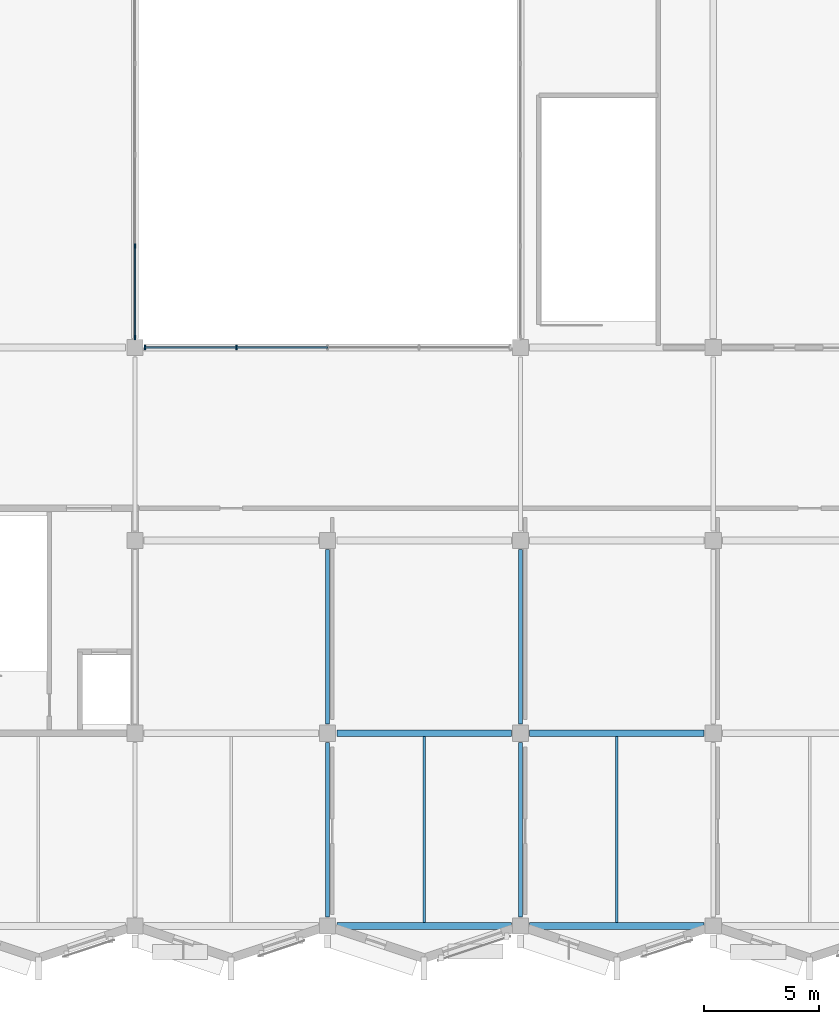
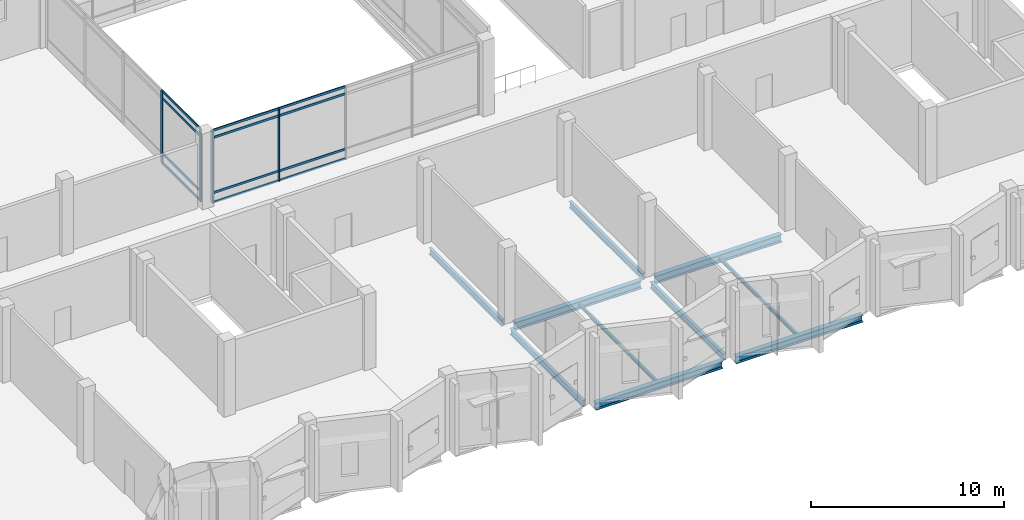
# One storey, part 18 of 110: 16 members, 10 beams, 2 elements without a shape of their own.
"""IFC4 building model written with IfcOpenShell, lengths in metres."""

from ifc_helpers import new_model, si_unit, direction, frame, origin, origin_2d, place, context, subcontext, project, spatial, rectangle, i_section, extrude, material, layer, layer_set, material_profile, profile_set, type_object, element, aggregate, save


model = new_model("IFC4")

# Units and contexts
model_context = context("Model", 3, precision=1e-05, world=origin(), true_north=direction((0.0, 1.0)))
body_context = subcontext(model_context, "Body", "Model", "MODEL_VIEW")
ifc_project = project(units=[si_unit("LENGTHUNIT", "METRE"), si_unit("AREAUNIT", "SQUARE_METRE"), si_unit("VOLUMEUNIT", "CUBIC_METRE"), si_unit("PLANEANGLEUNIT", "RADIAN"), si_unit("MASSUNIT", "GRAM", prefix="KILO")], contexts=[model_context])

# Site, building, storey
site_placement = place(None, origin())
site = spatial("IfcSite", under=ifc_project, at=site_placement, CompositionType="ELEMENT")
building_placement = place(site_placement, origin())
building = spatial("IfcBuilding", under=site, at=building_placement, Name="Qawsi Khor Wholesale Market", CompositionType="ELEMENT")
storey_placement = place(building_placement, frame((0.0, 0.0, 11.39990234375)))
storey = spatial("IfcBuildingStorey", under=building, at=storey_placement, Name="L02", CompositionType="ELEMENT", Elevation=11.39990234375)

# Curtain wall, members
ifc_material_1 = material(Name="Aluminium Anodised Bronze", Category="aluminium")
ifc_layer = layer(ifc_material_1, 0.179931640625, Name="Aluminium Anodised Bronze")
ifc_layer_set = layer_set([ifc_layer], Name="Aluminium Anodised Bronze")
curtain_wall_type = type_object("IfcCurtainWallType", Name="Atrium Full-Height Curtain Wall CW-02", PredefinedType="NOTDEFINED", material=ifc_layer_set)
curtain_wall_1_placement = place(storey_placement, origin())
curtain_wall_1 = element("IfcCurtainWall", 1, at=curtain_wall_1_placement, inside=storey, type_object=curtain_wall_type, Name="Curtain wall CW-CW-02-L02-041", PredefinedType="NOTDEFINED")
ifc_material_profile_1 = material_profile(ifc_material_1, rectangle(XDim=0.070068359375, YDim=0.199951171875, at=origin_2d()), Name="ALU MULLION 70x200")
ifc_profile_set_1 = profile_set([ifc_material_profile_1], Name="Aluminium Anodised Bronze")
member_type_1 = type_object("IfcMemberType", Name="Curtain Wall Mullion CW-02 ALU MULLION 70x200", PredefinedType="MULLION", material=ifc_profile_set_1)
member_1_placement = place(storey_placement, frame((151.64501953125, 25.199951171875, -0.02001953125), z_axis=(0.0, 0.0, 1.0), x_axis=(1.0, 0.0, 0.0)))
member_1 = element("IfcMember", 2, at=member_1_placement, type_object=member_type_1, Name="Mullion CW-CW-02-L02-041-M00", PredefinedType="MULLION", context=body_context, shape_type="SweptSolid", body=[
    extrude(rectangle(XDim=0.070068359375, YDim=0.199951171875, at=origin_2d()), origin(), (0.0, 0.0, 1.0), 4.570068359375),
])
member_2_placement = place(storey_placement, frame((155.62255859375, 25.199951171875, -0.02001953125), z_axis=(0.0, 0.0, 1.0), x_axis=(1.0, 0.0, 0.0)))
member_2 = element("IfcMember", 3, at=member_2_placement, type_object=member_type_1, Name="Mullion CW-CW-02-L02-041-M01", PredefinedType="MULLION", context=body_context, shape_type="SweptSolid", body=[
    extrude(rectangle(XDim=0.070068359375, YDim=0.199951171875, at=origin_2d()), origin(), (0.0, 0.0, 1.0), 4.570068359375),
])

curtain_wall_2_placement = place(storey_placement, origin())
curtain_wall_2 = element("IfcCurtainWall", 4, at=curtain_wall_2_placement, inside=storey, type_object=curtain_wall_type, Name="Curtain wall CW-CW-02-L02-044", PredefinedType="NOTDEFINED")
member_3_placement = place(storey_placement, frame((151.199951171875, 25.64501953125, -0.02001953125), z_axis=(0.0, 0.0, 1.0), x_axis=(1.0, 0.0, 0.0)))
member_3 = element("IfcMember", 5, at=member_3_placement, type_object=member_type_1, Name="Mullion CW-CW-02-L02-044-M00", PredefinedType="MULLION", context=body_context, shape_type="SweptSolid", body=[
    extrude(rectangle(XDim=0.070068359375, YDim=0.199951171875, at=origin_2d()), origin(), (0.0, 0.0, 1.0), 4.570068359375),
])
member_4_placement = place(storey_placement, frame((151.199951171875, 29.62255859375, -0.02001953125), z_axis=(0.0, 0.0, 1.0), x_axis=(1.0, 0.0, 0.0)))
member_4 = element("IfcMember", 6, at=member_4_placement, type_object=member_type_1, Name="Mullion CW-CW-02-L02-044-M01", PredefinedType="MULLION", context=body_context, shape_type="SweptSolid", body=[
    extrude(rectangle(XDim=0.070068359375, YDim=0.199951171875, at=origin_2d()), origin(), (0.0, 0.0, 1.0), 4.570068359375),
])

# Member
ifc_material_profile_2 = material_profile(ifc_material_1, rectangle(XDim=0.06494140625, YDim=0.139892578125, at=origin_2d()), Name="ALU TRANSOM 65x140")
ifc_profile_set_2 = profile_set([ifc_material_profile_2], Name="Aluminium Anodised Bronze")
member_type_2 = type_object("IfcMemberType", Name="Curtain Wall Transom CW-02 ALU TRANSOM 65x140", PredefinedType="USERDEFINED", material=ifc_profile_set_2)
member_5_placement = place(storey_placement, frame((151.64501953125, 25.199951171875, 0.0), z_axis=(1.0, 0.0, 0.0), x_axis=(0.0, 1.0, 0.0)))
member_5 = element("IfcMember", 7, at=member_5_placement, type_object=member_type_2, Name="Transom CW-CW-02-L02-041-T0_00", ObjectType="TRANSOM", PredefinedType="USERDEFINED", context=body_context, shape_type="SweptSolid", body=[
    extrude(rectangle(XDim=0.06494140625, YDim=0.139892578125, at=origin_2d()), origin(), (0.0, 0.0, 1.0), 3.9775390625),
])

member_6_placement = place(storey_placement, frame((155.62255859375, 25.199951171875, 0.0), z_axis=(1.0, 0.0, 0.0), x_axis=(0.0, 1.0, 0.0)))
member_6 = element("IfcMember", 8, at=member_6_placement, type_object=member_type_2, Name="Transom CW-CW-02-L02-041-T0_01", ObjectType="TRANSOM", PredefinedType="USERDEFINED", context=body_context, shape_type="SweptSolid", body=[
    extrude(rectangle(XDim=0.06494140625, YDim=0.139892578125, at=origin_2d()), origin(), (0.0, 0.0, 1.0), 3.9775390625),
])

member_7_placement = place(storey_placement, frame((151.64501953125, 25.199951171875, 0.60009765625), z_axis=(1.0, 0.0, 0.0), x_axis=(0.0, 1.0, 0.0)))
member_7 = element("IfcMember", 9, at=member_7_placement, type_object=member_type_2, Name="Transom CW-CW-02-L02-041-T1_00", ObjectType="TRANSOM", PredefinedType="USERDEFINED", context=body_context, shape_type="SweptSolid", body=[
    extrude(rectangle(XDim=0.06494140625, YDim=0.139892578125, at=origin_2d()), origin(), (0.0, 0.0, 1.0), 3.9775390625),
])

member_8_placement = place(storey_placement, frame((155.62255859375, 25.199951171875, 0.60009765625), z_axis=(1.0, 0.0, 0.0), x_axis=(0.0, 1.0, 0.0)))
member_8 = element("IfcMember", 10, at=member_8_placement, type_object=member_type_2, Name="Transom CW-CW-02-L02-041-T1_01", ObjectType="TRANSOM", PredefinedType="USERDEFINED", context=body_context, shape_type="SweptSolid", body=[
    extrude(rectangle(XDim=0.06494140625, YDim=0.139892578125, at=origin_2d()), origin(), (0.0, 0.0, 1.0), 3.9775390625),
])

member_9_placement = place(storey_placement, frame((151.64501953125, 25.199951171875, 4.10009765625), z_axis=(1.0, 0.0, 0.0), x_axis=(0.0, 1.0, 0.0)))
member_9 = element("IfcMember", 11, at=member_9_placement, type_object=member_type_2, Name="Transom CW-CW-02-L02-041-T2_00", ObjectType="TRANSOM", PredefinedType="USERDEFINED", context=body_context, shape_type="SweptSolid", body=[
    extrude(rectangle(XDim=0.06494140625, YDim=0.139892578125, at=origin_2d()), origin(), (0.0, 0.0, 1.0), 3.9775390625),
])

member_10_placement = place(storey_placement, frame((155.62255859375, 25.199951171875, 4.10009765625), z_axis=(1.0, 0.0, 0.0), x_axis=(0.0, 1.0, 0.0)))
member_10 = element("IfcMember", 12, at=member_10_placement, type_object=member_type_2, Name="Transom CW-CW-02-L02-041-T2_01", ObjectType="TRANSOM", PredefinedType="USERDEFINED", context=body_context, shape_type="SweptSolid", body=[
    extrude(rectangle(XDim=0.06494140625, YDim=0.139892578125, at=origin_2d()), origin(), (0.0, 0.0, 1.0), 3.9775390625),
])

member_11_placement = place(storey_placement, frame((151.64501953125, 25.199951171875, 4.550048828125), z_axis=(1.0, 0.0, 0.0), x_axis=(0.0, 1.0, 0.0)))
member_11 = element("IfcMember", 13, at=member_11_placement, type_object=member_type_2, Name="Transom CW-CW-02-L02-041-T3_00", ObjectType="TRANSOM", PredefinedType="USERDEFINED", context=body_context, shape_type="SweptSolid", body=[
    extrude(rectangle(XDim=0.06494140625, YDim=0.139892578125, at=origin_2d()), origin(), (0.0, 0.0, 1.0), 3.9775390625),
])

member_12_placement = place(storey_placement, frame((155.62255859375, 25.199951171875, 4.550048828125), z_axis=(1.0, 0.0, 0.0), x_axis=(0.0, 1.0, 0.0)))
member_12 = element("IfcMember", 14, at=member_12_placement, type_object=member_type_2, Name="Transom CW-CW-02-L02-041-T3_01", ObjectType="TRANSOM", PredefinedType="USERDEFINED", context=body_context, shape_type="SweptSolid", body=[
    extrude(rectangle(XDim=0.06494140625, YDim=0.139892578125, at=origin_2d()), origin(), (0.0, 0.0, 1.0), 3.9775390625),
])

aggregate(curtain_wall_1, [member_1, member_2, member_5, member_6, member_7, member_8, member_9, member_10, member_11, member_12])

member_13_placement = place(storey_placement, frame((151.199951171875, 25.64501953125, 0.0), z_axis=(0.0, 1.0, 0.0), x_axis=(-1.0, 0.0, 0.0)))
member_13 = element("IfcMember", 15, at=member_13_placement, type_object=member_type_2, Name="Transom CW-CW-02-L02-044-T0_00", ObjectType="TRANSOM", PredefinedType="USERDEFINED", context=body_context, shape_type="SweptSolid", body=[
    extrude(rectangle(XDim=0.06494140625, YDim=0.139892578125, at=origin_2d()), origin(), (0.0, 0.0, 1.0), 3.9775390625),
])

member_14_placement = place(storey_placement, frame((151.199951171875, 25.64501953125, 0.60009765625), z_axis=(0.0, 1.0, 0.0), x_axis=(-1.0, 0.0, 0.0)))
member_14 = element("IfcMember", 16, at=member_14_placement, type_object=member_type_2, Name="Transom CW-CW-02-L02-044-T1_00", ObjectType="TRANSOM", PredefinedType="USERDEFINED", context=body_context, shape_type="SweptSolid", body=[
    extrude(rectangle(XDim=0.06494140625, YDim=0.139892578125, at=origin_2d()), origin(), (0.0, 0.0, 1.0), 3.9775390625),
])

member_15_placement = place(storey_placement, frame((151.199951171875, 25.64501953125, 4.10009765625), z_axis=(0.0, 1.0, 0.0), x_axis=(-1.0, 0.0, 0.0)))
member_15 = element("IfcMember", 17, at=member_15_placement, type_object=member_type_2, Name="Transom CW-CW-02-L02-044-T2_00", ObjectType="TRANSOM", PredefinedType="USERDEFINED", context=body_context, shape_type="SweptSolid", body=[
    extrude(rectangle(XDim=0.06494140625, YDim=0.139892578125, at=origin_2d()), origin(), (0.0, 0.0, 1.0), 3.9775390625),
])

member_16_placement = place(storey_placement, frame((151.199951171875, 25.64501953125, 4.550048828125), z_axis=(0.0, 1.0, 0.0), x_axis=(-1.0, 0.0, 0.0)))
member_16 = element("IfcMember", 18, at=member_16_placement, type_object=member_type_2, Name="Transom CW-CW-02-L02-044-T3_00", ObjectType="TRANSOM", PredefinedType="USERDEFINED", context=body_context, shape_type="SweptSolid", body=[
    extrude(rectangle(XDim=0.06494140625, YDim=0.139892578125, at=origin_2d()), origin(), (0.0, 0.0, 1.0), 3.9775390625),
])

aggregate(curtain_wall_2, [member_3, member_4, member_13, member_14, member_15, member_16])

# Beams
ifc_material_2 = material(Name="Steel S355", Category="steel")
ifc_material_profile_3 = material_profile(ifc_material_2, i_section(OverallWidth=0.300048828125, OverallDepth=0.449951171875, WebThickness=0.013916015625, FlangeThickness=0.02587890625, FilletRadius=0.027099609375, at=origin_2d()), Name="HEB 450")
ifc_profile_set_3 = profile_set([ifc_material_profile_3], Name="Steel S355")
beam_type_1 = type_object("IfcBeamType", Name="Heavy Edge Girder HEB 450", PredefinedType="BEAM", material=ifc_profile_set_3)
for number, where, z_axis, x_axis, name in (
    (19, (160.0, 0.0, -0.5048828125), (1.0, 0.0, 0.0), (0.0, 1.0, 0.0), "BM-X-L02-19_+00"),
    (20, (168.39990234375, 0.0, -0.5048828125), (1.0, 0.0, 0.0), (0.0, 1.0, 0.0), "BM-X-L02-20_+00"),
):
    element("IfcBeam", number, at=place(storey_placement, frame(where, z_axis=z_axis, x_axis=x_axis)), inside=storey, type_object=beam_type_1, Name=name, PredefinedType="BEAM", context=body_context, shape_type="SweptSolid", body=[
        extrude(i_section(OverallWidth=0.300048828125, OverallDepth=0.449951171875, WebThickness=0.013916015625, FlangeThickness=0.02587890625, FilletRadius=0.027099609375, at=origin_2d()), origin(), (0.0, 0.0, 1.0), 7.60009765625),
    ])
ifc_material_profile_4 = material_profile(ifc_material_2, i_section(OverallWidth=0.300048828125, OverallDepth=0.489990234375, WebThickness=0.011962890625, FlangeThickness=0.02294921875, FilletRadius=0.027099609375, at=origin_2d()), Name="HEA 500")
ifc_profile_set_4 = profile_set([ifc_material_profile_4], Name="Steel S355")
beam_type_2 = type_object("IfcBeamType", Name="Primary Girder HEA 500", PredefinedType="BEAM", material=ifc_profile_set_4)
for number, where, z_axis, x_axis, name in (
    (21, (160.0, 8.39990234375, -0.52490234375), (1.0, 0.0, 0.0), (0.0, 1.0, 0.0), "BM-X-L02-19_+01"),
    (22, (168.39990234375, 8.39990234375, -0.52490234375), (1.0, 0.0, 0.0), (0.0, 1.0, 0.0), "BM-X-L02-20_+01"),
):
    element("IfcBeam", number, at=place(storey_placement, frame(where, z_axis=z_axis, x_axis=x_axis)), inside=storey, type_object=beam_type_2, Name=name, PredefinedType="BEAM", context=body_context, shape_type="SweptSolid", body=[
        extrude(i_section(OverallWidth=0.300048828125, OverallDepth=0.489990234375, WebThickness=0.011962890625, FlangeThickness=0.02294921875, FilletRadius=0.027099609375, at=origin_2d()), origin(), (0.0, 0.0, 1.0), 7.60009765625),
    ])
ifc_material_profile_5 = material_profile(ifc_material_2, i_section(OverallWidth=0.179931640625, OverallDepth=0.39990234375, WebThickness=0.008544921875, FlangeThickness=0.013427734375, FilletRadius=0.02099609375, at=origin_2d()), Name="IPE 400")
ifc_profile_set_5 = profile_set([ifc_material_profile_5], Name="Steel S355")
beam_type_3 = type_object("IfcBeamType", Name="Secondary Beam IPE 400", PredefinedType="BEAM", material=ifc_profile_set_5)
beam_1_placement = place(storey_placement, frame((159.60009765625, 0.39990234375, -0.47998046875), z_axis=(0.0, 1.0, 0.0), x_axis=(-1.0, 0.0, 0.0)))
element("IfcBeam", 23, at=beam_1_placement, inside=storey, type_object=beam_type_3, Name="BM-Y-L02-19_+00", PredefinedType="BEAM", context=body_context, shape_type="SweptSolid", body=[
    extrude(i_section(OverallWidth=0.179931640625, OverallDepth=0.39990234375, WebThickness=0.008544921875, FlangeThickness=0.013427734375, FilletRadius=0.02099609375, at=origin_2d()), origin(), (0.0, 0.0, 1.0), 7.60009765625),
])
beam_2_placement = place(storey_placement, frame((159.60009765625, 8.800048828125, -0.47998046875), z_axis=(0.0, 1.0, 0.0), x_axis=(-1.0, 0.0, 0.0)))
element("IfcBeam", 24, at=beam_2_placement, inside=storey, type_object=beam_type_3, Name="BM-Y-L02-19_+01", PredefinedType="BEAM", context=body_context, shape_type="SweptSolid", body=[
    extrude(i_section(OverallWidth=0.179931640625, OverallDepth=0.39990234375, WebThickness=0.008544921875, FlangeThickness=0.013427734375, FilletRadius=0.02099609375, at=origin_2d()), origin(), (0.0, 0.0, 1.0), 7.599853515625),
])
beam_3_placement = place(storey_placement, frame((168.0, 0.39990234375, -0.47998046875), z_axis=(0.0, 1.0, 0.0), x_axis=(-1.0, 0.0, 0.0)))
element("IfcBeam", 25, at=beam_3_placement, inside=storey, type_object=beam_type_3, Name="BM-Y-L02-20_+00", PredefinedType="BEAM", context=body_context, shape_type="SweptSolid", body=[
    extrude(i_section(OverallWidth=0.179931640625, OverallDepth=0.39990234375, WebThickness=0.008544921875, FlangeThickness=0.013427734375, FilletRadius=0.02099609375, at=origin_2d()), origin(), (0.0, 0.0, 1.0), 7.60009765625),
])
beam_4_placement = place(storey_placement, frame((168.0, 8.800048828125, -0.47998046875), z_axis=(0.0, 1.0, 0.0), x_axis=(-1.0, 0.0, 0.0)))
element("IfcBeam", 26, at=beam_4_placement, inside=storey, type_object=beam_type_3, Name="BM-Y-L02-20_+01", PredefinedType="BEAM", context=body_context, shape_type="SweptSolid", body=[
    extrude(i_section(OverallWidth=0.179931640625, OverallDepth=0.39990234375, WebThickness=0.008544921875, FlangeThickness=0.013427734375, FilletRadius=0.02099609375, at=origin_2d()), origin(), (0.0, 0.0, 1.0), 7.599853515625),
])
ifc_material_profile_6 = material_profile(ifc_material_2, i_section(OverallWidth=0.110107421875, OverallDepth=0.219970703125, WebThickness=0.005859375, FlangeThickness=0.00927734375, FilletRadius=0.011962890625, at=origin_2d()), Name="IPE 220")
ifc_profile_set_6 = profile_set([ifc_material_profile_6], Name="Steel S355")
beam_type_4 = type_object("IfcBeamType", Name="Terrace Joist IPE 220", PredefinedType="JOIST", material=ifc_profile_set_6)
for number, where, z_axis, x_axis, name in (
    (27, (163.800048828125, 0.14990234375, -0.389892578125), (0.0, 1.0, 0.0), (-1.0, 0.0, 0.0), "JST-S-L02-19"),
    (28, (172.199951171875, 0.14990234375, -0.389892578125), (0.0, 1.0, 0.0), (-1.0, 0.0, 0.0), "JST-S-L02-20"),
):
    element("IfcBeam", number, at=place(storey_placement, frame(where, z_axis=z_axis, x_axis=x_axis)), inside=storey, type_object=beam_type_4, Name=name, PredefinedType="JOIST", context=body_context, shape_type="SweptSolid", body=[
        extrude(i_section(OverallWidth=0.110107421875, OverallDepth=0.219970703125, WebThickness=0.005859375, FlangeThickness=0.00927734375, FilletRadius=0.011962890625, at=origin_2d()), origin(), (0.0, 0.0, 1.0), 8.10009765625),
    ])

save(model, "model.ifc")
